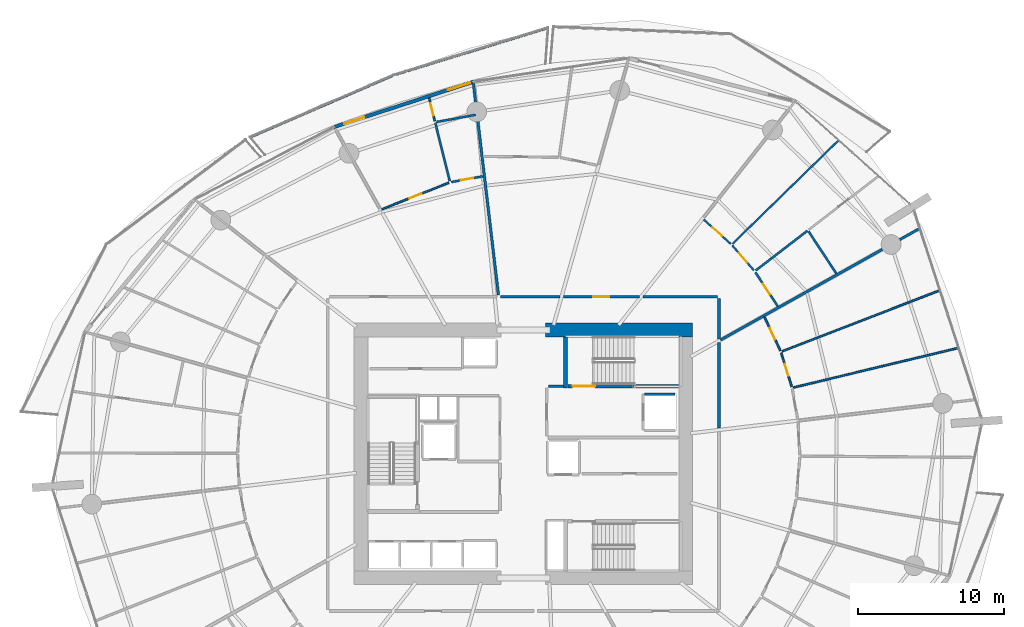
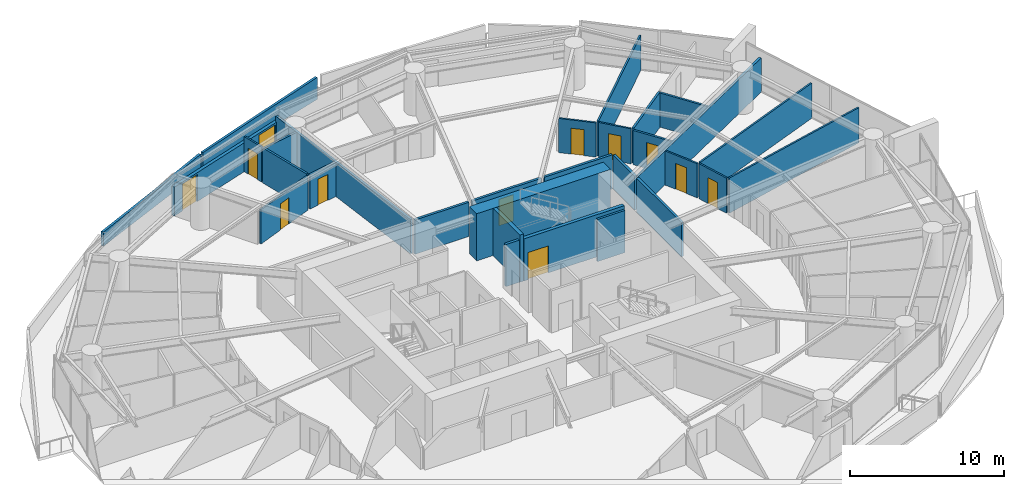
# One storey, part 23 of 31: 30 walls, 11 doors, 1 window, 12 openings.
"""IFC4 building model written with IfcOpenShell, lengths in metres."""

from ifc_helpers import new_model, si_unit, direction, frame, frame_2d, origin, place, context, subcontext, project, spatial, polyline, rectangle, outline, extrude, material, layer, layer_set, type_object, element, fill, save


model = new_model("IFC4")

# Units and contexts
model_context = context("Model", 3, precision=1e-05, world=origin(), true_north=direction((0.0, 1.0)))
body_context = subcontext(model_context, "Body", "Model", "MODEL_VIEW")
ifc_project = project(units=[si_unit("LENGTHUNIT", "METRE"), si_unit("AREAUNIT", "SQUARE_METRE"), si_unit("VOLUMEUNIT", "CUBIC_METRE"), si_unit("PLANEANGLEUNIT", "RADIAN"), si_unit("MASSUNIT", "GRAM", prefix="KILO")], contexts=[model_context])

# Site, building, storey
site_placement = place(None, origin())
site = spatial("IfcSite", under=ifc_project, at=site_placement, CompositionType="ELEMENT")
building_placement = place(site_placement, origin())
building = spatial("IfcBuilding", under=site, at=building_placement, Name="Kazma Halo Residences", CompositionType="ELEMENT")
storey_placement = place(building_placement, frame((0.0, 0.0, 67.64990234375)))
storey = spatial("IfcBuildingStorey", under=building, at=storey_placement, Name="L16", CompositionType="ELEMENT", Elevation=67.64990234375)

# Walls
ifc_material_1 = material(Name="White Concrete C50/60 Balustrade", Category="concrete")
ifc_layer_1 = layer(ifc_material_1, 0.179931640625)
ifc_layer_set_1 = layer_set([ifc_layer_1], Name="White Concrete C50/60 Balustrade")
wall_type_1 = type_object("IfcWallType", Name="WL-BAL-WAVE-180", PredefinedType="PARAPET", material=ifc_layer_set_1)
wall_1_placement = place(storey_placement, frame((50.1142578125, 71.139892578125, 0.0), z_axis=(0.0, 0.0, 1.0), x_axis=(-0.956262130287, -0.292511090695, 0.0)))
element("IfcWall", 1, at=wall_1_placement, inside=storey, type_object=wall_type_1, Name="L16 white wave balustrade wall NNW.1", PredefinedType="PARAPET", context=body_context, shape_type="SweptSolid", body=[
    extrude(outline(polyline([(0.0, 0.0), (10.89697265625, 0.0), (10.897216796875, 1.34814453125), (5.448486328125, 1.56201171875), (0.0, 1.7470703125), (0.0, 0.0)])), frame((0.0, 0.08984375, 0.0), z_axis=(0.0, -1.0, 0.0), x_axis=(1.0, 0.0, 0.0)), (0.0, 0.0, 1.0), 0.179931640625),
])
wall_2_placement = place(storey_placement, frame((39.468994140625, 67.86962890625, 0.0), z_axis=(0.0, 0.0, 1.0), x_axis=(-0.91788240727, -0.396852474384, 0.0)))
element("IfcWall", 2, at=wall_2_placement, inside=storey, type_object=wall_type_1, Name="L16 white wave balustrade wall NNW.2", PredefinedType="PARAPET", context=body_context, shape_type="SweptSolid", body=[
    extrude(outline(polyline([(0.0, 0.0), (10.61083984375, 0.0), (10.61083984375, 1.1201171875), (5.305419921875, 1.18212890625), (0.0, 1.34814453125), (0.0, 0.0)])), frame((0.0, 0.08984375, 0.0), z_axis=(0.0, -1.0, 0.0), x_axis=(1.0, 0.0, 0.0)), (0.0, 0.0, 1.0), 0.179931640625),
])
ifc_material_2 = material(Name="Concrete C80/95", Category="concrete")
ifc_layer_2 = layer(ifc_material_2, 0.949951171875)
ifc_layer_set_2 = layer_set([ifc_layer_2], Name="Concrete C80/95")
wall_type_2 = type_object("IfcWallType", Name="WL-CORE-950", PredefinedType="SHEAR", material=ifc_layer_set_2)
wall_3_placement = place(storey_placement, frame((49.949951171875, 50.47509765625, 0.0), z_axis=(0.0, 0.0, 1.0), x_axis=(1.0, 0.0, 0.0)))
element("IfcWall", 3, at=wall_3_placement, inside=storey, type_object=wall_type_2, Name="L16 central core shear wall NE", PredefinedType="SHEAR", context=body_context, shape_type="SweptSolid", body=[
    extrude(rectangle(XDim=10.050048828125, YDim=0.949951171875, at=frame_2d((5.02490234375, 0.0))), origin(), (0.0, 0.0, 1.0), 3.75),
])
ifc_material_3 = material(Name="Concrete C60/75", Category="concrete")
ifc_layer_3 = layer(ifc_material_3, 0.280029296875)
ifc_layer_set_3 = layer_set([ifc_layer_3], Name="Concrete C60/75")
wall_type_3 = type_object("IfcWallType", Name="WL-CORE-ST-280", PredefinedType="SHEAR", material=ifc_layer_set_3)
wall_4_placement = place(storey_placement, frame((51.31005859375, 46.5, 0.0), z_axis=(0.0, 0.0, 1.0), x_axis=(0.0, 1.0, 0.0)))
element("IfcWall", 4, at=wall_4_placement, inside=storey, type_object=wall_type_3, Name="L16 stairwell bearing wall ST02-W", PredefinedType="SHEAR", context=body_context, shape_type="SweptSolid", body=[
    extrude(rectangle(XDim=3.5, YDim=0.280029296875, at=frame_2d((1.75, 0.0))), origin(), (0.0, 0.0, 1.0), 3.75),
])
ifc_material_4 = material(Name="Acoustic Twin-Stud Gypsum")
ifc_layer_4 = layer(ifc_material_4, 0.179931640625)
ifc_layer_set_4 = layer_set([ifc_layer_4], Name="Acoustic Twin-Stud Gypsum")
wall_type_4 = type_object("IfcWallType", Name="WL-DEM-180", PredefinedType="PARTITIONING", material=ifc_layer_set_4)
wall_5_placement = place(storey_placement, frame((61.89599609375, 49.781982421875, 0.0), z_axis=(0.0, 0.0, 1.0), x_axis=(0.872493215695, 0.488626225828, 0.0)))
element("IfcWall", 5, at=wall_5_placement, inside=storey, type_object=wall_type_4, Name="L16 apartment demising radial wall 00", PredefinedType="PARTITIONING", context=body_context, shape_type="SweptSolid", body=[
    extrude(rectangle(XDim=15.612060546875, YDim=0.179931640625, at=frame_2d((7.80615234375, 0.0))), origin(), (0.0, 0.0, 1.0), 2.717041015625),
])
wall_6_placement = place(storey_placement, frame((46.71484375, 52.859130859375, 0.0), z_axis=(0.0, 0.0, 1.0), x_axis=(-0.117534950089, 0.993068746617, 0.0)))
element("IfcWall", 6, at=wall_6_placement, inside=storey, type_object=wall_type_4, Name="L16 apartment demising radial wall 03", PredefinedType="PARTITIONING", context=body_context, shape_type="SweptSolid", body=[
    extrude(rectangle(XDim=14.66064453125, YDim=0.179931640625, at=frame_2d((7.330322265625, 0.0))), origin(), (0.0, 0.0, 1.0), 2.717041015625),
])
wall_7_placement = place(storey_placement, frame((61.800048828125, 43.75341796875, 0.0), z_axis=(0.0, 0.0, 1.0), x_axis=(0.0, 1.0, 0.0)))
element("IfcWall", 7, at=wall_7_placement, inside=storey, type_object=wall_type_4, Name="L16 Apartment 3 inner wall 15", PredefinedType="PARTITIONING", context=body_context, shape_type="SweptSolid", body=[
    extrude(rectangle(XDim=5.85498046875, YDim=0.179931640625, at=frame_2d((2.927490234375, 0.0))), origin(), (0.0, 0.0, 1.0), 2.717041015625),
])

# Wall, opening, door
wall_8_placement = place(storey_placement, frame((56.3544921875, 52.75, 0.0), z_axis=(0.0, 0.0, 1.0), x_axis=(-1.0, 0.0, 0.0)))
wall_8 = element("IfcWall", 8, at=wall_8_placement, inside=storey, type_object=wall_type_4, Name="L16 Apartment 4 entrance corridor wall", PredefinedType="PARTITIONING", context=body_context, shape_type="SweptSolid", body=[
    extrude(rectangle(XDim=5.20263671875, YDim=0.179931640625, at=frame_2d((2.601318359375, 0.0))), origin(), (0.0, 0.0, 1.0), 2.717041015625),
])
opening_1_placement = place(wall_8_placement, frame((2.051513671875, 0.0, 0.0)))
opening_1 = element("IfcOpeningElement", 9, at=opening_1_placement, cuts=wall_8, Name="Opening DA-1100", PredefinedType="OPENING", context=body_context, shape_type="SweptSolid", body=[
    extrude(rectangle(XDim=1.10009765625, YDim=2.10009765625, at=frame_2d((0.550048828125, 1.050048828125))), frame((0.0, 0.099853515625, 0.0), z_axis=(0.0, -1.0, 0.0), x_axis=(1.0, 0.0, 0.0)), (0.0, 0.0, 1.0), 0.199951171875),
])
ifc_material_5 = material(Name="Acoustic Walnut Fire Leaf")
door_type_1 = type_object("IfcDoorType", Name="DR-FD60-1100", OperationType="NOTDEFINED", PredefinedType="DOOR", material=ifc_material_5)
door_1_placement = place(opening_1_placement, origin())
door_1 = element("IfcDoor", 10, at=door_1_placement, inside=storey, type_object=door_type_1, Name="L16 Apartment 4 entrance fire door", OperationType="SINGLE_SWING_LEFT", OverallHeight=2.10009765625, OverallWidth=1.10009765625, PredefinedType="DOOR", context=body_context, shape_type="SweptSolid", body=[
    extrude(rectangle(XDim=1.10009765625, YDim=2.10009765625, at=frame_2d((0.550048828125, 1.050048828125))), frame((0.0, 0.02490234375, 0.0), z_axis=(0.0, -1.0, 0.0), x_axis=(1.0, 0.0, 0.0)), (0.0, 0.0, 1.0), 0.050048828125),
])
fill(opening_1, door_1)

# Walls
wall_9_placement = place(storey_placement, frame((61.800048828125, 49.848388671875, 0.0), z_axis=(0.0, 0.0, 1.0), x_axis=(0.0, 1.0, 0.0)))
element("IfcWall", 11, at=wall_9_placement, inside=storey, type_object=wall_type_4, Name="L16 Apartment 4 inner wall 0", PredefinedType="PARTITIONING", context=body_context, shape_type="SweptSolid", body=[
    extrude(rectangle(XDim=2.781494140625, YDim=0.179931640625, at=frame_2d((1.390625, 0.0))), origin(), (0.0, 0.0, 1.0), 2.717041015625),
])
wall_10_placement = place(storey_placement, frame((61.679931640625, 52.75, 0.0), z_axis=(0.0, 0.0, 1.0), x_axis=(-1.0, 0.0, 0.0)))
element("IfcWall", 12, at=wall_10_placement, inside=storey, type_object=wall_type_4, Name="L16 Apartment 4 inner wall 0", PredefinedType="PARTITIONING", context=body_context, shape_type="SweptSolid", body=[
    extrude(rectangle(XDim=5.08544921875, YDim=0.179931640625, at=frame_2d((2.542724609375, 0.0))), origin(), (0.0, 0.0, 1.0), 2.717041015625),
])
wall_11_placement = place(storey_placement, frame((50.911865234375, 52.75, 0.0), z_axis=(0.0, 0.0, 1.0), x_axis=(-1.0, 0.0, 0.0)))
element("IfcWall", 13, at=wall_11_placement, inside=storey, type_object=wall_type_4, Name="L16 Apartment 4 inner wall 2", PredefinedType="PARTITIONING", context=body_context, shape_type="SweptSolid", body=[
    extrude(rectangle(XDim=4.064208984375, YDim=0.179931640625, at=frame_2d((2.0322265625, 0.0))), origin(), (0.0, 0.0, 1.0), 2.717041015625),
])

# Wall, openings, door, window
ifc_material_6 = material(Name="Insulated Pale-Metal Composite Wall")
ifc_layer_5 = layer(ifc_material_6, 0.239990234375)
ifc_layer_set_5 = layer_set([ifc_layer_5], Name="Insulated Pale-Metal Composite Wall")
wall_type_5 = type_object("IfcWallType", Name="WL-EXT-HOST-240", PredefinedType="SOLIDWALL", material=ifc_layer_set_5)
wall_12_placement = place(storey_placement, frame((45.0361328125, 67.45849609375, 0.0), z_axis=(0.0, 0.0, 1.0), x_axis=(-0.951054679225, -0.309022648238, 0.0)))
wall_12 = element("IfcWall", 14, at=wall_12_placement, inside=storey, type_object=wall_type_5, Name="L16 exterior terrace-access wall B04", PredefinedType="SOLIDWALL", context=body_context, shape_type="SweptSolid", body=[
    extrude(rectangle(XDim=10.0966796875, YDim=0.239990234375, at=frame_2d((5.04833984375, 0.0))), origin(), (0.0, 0.0, 1.0), 2.300048828125),
])
opening_2_placement = place(wall_12_placement, frame((7.876708984375, 0.0, 0.0)))
opening_2 = element("IfcOpeningElement", 15, at=opening_2_placement, cuts=wall_12, Name="Opening DTR-1600", PredefinedType="OPENING", context=body_context, shape_type="SweptSolid", body=[
    extrude(rectangle(XDim=1.449951171875, YDim=2.14990234375, at=frame_2d((0.72509765625, 1.074951171875))), frame((0.0, 0.1298828125, 0.0), z_axis=(0.0, -1.0, 0.0), x_axis=(1.0, 0.0, 0.0)), (0.0, 0.0, 1.0), 0.260009765625),
])
opening_3_placement = place(wall_12_placement, frame((0.280029296875, 0.0, 0.64990234375)))
opening_3 = element("IfcOpeningElement", 16, at=opening_3_placement, cuts=wall_12, Name="Opening W-1800", PredefinedType="OPENING", context=body_context, shape_type="SweptSolid", body=[
    extrude(rectangle(XDim=1.60009765625, YDim=1.5, at=frame_2d((0.800048828125, 0.75))), frame((0.0, 0.1298828125, 0.0), z_axis=(0.0, -1.0, 0.0), x_axis=(1.0, 0.0, 0.0)), (0.0, 0.0, 1.0), 0.260009765625),
])
ifc_material_7 = material(Name="Aluminium AW-6063 T6 Double-Glazed Terrace Door", Category="aluminium")
door_type_2 = type_object("IfcDoorType", Name="DR-EXT-TERR-1600", OperationType="NOTDEFINED", PredefinedType="DOOR", material=ifc_material_7)
door_2_placement = place(opening_2_placement, origin())
door_2 = element("IfcDoor", 17, at=door_2_placement, inside=storey, type_object=door_type_2, Name="L16 B04 balcony terrace door", OperationType="DOUBLE_DOOR_SLIDING", OverallHeight=2.14990234375, OverallWidth=1.449951171875, PredefinedType="DOOR", context=body_context, shape_type="SweptSolid", body=[
    extrude(rectangle(XDim=1.449951171875, YDim=2.14990234375, at=frame_2d((0.72509765625, 1.074951171875))), frame((0.0, 0.02490234375, 0.0), z_axis=(0.0, -1.0, 0.0), x_axis=(1.0, 0.0, 0.0)), (0.0, 0.0, 1.0), 0.050048828125),
])
fill(opening_2, door_2)
ifc_material_8 = material(Name="Clear Triple-Silver Low-E Glass in Aluminium AW-6063 T6 Frame", Category="aluminium")
window_type = type_object("IfcWindowType", Name="WIN-RES-1800", PartitioningType="DOUBLE_PANEL_VERTICAL", PredefinedType="WINDOW", material=ifc_material_8)
window_placement = place(opening_3_placement, origin())
window = element("IfcWindow", 18, at=window_placement, inside=storey, type_object=window_type, Name="L16 B04 apartment window", OverallHeight=1.5, OverallWidth=1.60009765625, PartitioningType="SINGLE_PANEL", PredefinedType="WINDOW", context=body_context, shape_type="SweptSolid", body=[
    extrude(rectangle(XDim=1.60009765625, YDim=1.5, at=frame_2d((0.800048828125, 0.75))), frame((0.0, 0.030029296875, 0.0), z_axis=(0.0, -1.0, 0.0), x_axis=(1.0, 0.0, 0.0)), (0.0, 0.0, 1.0), 0.06005859375),
])
fill(opening_3, window)

# Walls
ifc_material_9 = material(Name="Fire-Rated Blockwork Masonry", Category="masonry")
ifc_layer_6 = layer(ifc_material_9, 0.199951171875)
ifc_layer_set_6 = layer_set([ifc_layer_6], Name="Fire-Rated Blockwork Masonry")
wall_type_6 = type_object("IfcWallType", Name="WL-FLB-200", PredefinedType="PARTITIONING", material=ifc_layer_set_6)
wall_13_placement = place(storey_placement, frame((56.719970703125, 46.080078125, 0.0), z_axis=(0.0, 0.0, 1.0), x_axis=(1.0, 0.0, 0.0)))
element("IfcWall", 19, at=wall_13_placement, inside=storey, type_object=wall_type_6, Name="L16 lift shaft FL-02 side wall N", PredefinedType="PARTITIONING", context=body_context, shape_type="SweptSolid", body=[
    extrude(rectangle(XDim=2.06005859375, YDim=0.159912109375, at=frame_2d((1.030029296875, 0.0))), origin(), (0.0, 0.0, 1.0), 3.35009765625),
])
wall_14_placement = place(storey_placement, frame((50.139892578125, 46.6201171875, 0.0), z_axis=(0.0, 0.0, 1.0), x_axis=(1.0, 0.0, 0.0)))
element("IfcWall", 20, at=wall_14_placement, inside=storey, type_object=wall_type_6, Name="L16 east firefighting lobby north closure wall", PredefinedType="PARTITIONING", context=body_context, shape_type="SweptSolid", body=[
    extrude(rectangle(XDim=1.02001953125, YDim=0.199951171875, at=frame_2d((0.510009765625, 0.0))), origin(), (0.0, 0.0, 1.0), 3.35009765625),
])

# Wall, opening, door
ifc_material_10 = material(Name="Gypsum Plasterboard Partition")
ifc_layer_7 = layer(ifc_material_10, 0.125)
ifc_layer_set_7 = layer_set([ifc_layer_7], Name="Gypsum Plasterboard Partition")
wall_type_7 = type_object("IfcWallType", Name="WL-PART-125", PredefinedType="PARTITIONING", material=ifc_layer_set_7)
wall_15_placement = place(storey_placement, frame((42.36376953125, 64.7666015625, 0.0), z_axis=(0.0, 0.0, 1.0), x_axis=(-0.240399183991, 0.970674112324, 0.0)))
wall_15 = element("IfcWall", 21, at=wall_15_placement, inside=storey, type_object=wall_type_7, Name="L16 Apartment 1 Household Store Room partition wall", PredefinedType="PARTITIONING", context=body_context, shape_type="SweptSolid", body=[
    extrude(rectangle(XDim=1.61376953125, YDim=0.125, at=frame_2d((0.806884765625, 0.0))), origin(), (0.0, 0.0, 1.0), 2.7900390625),
])
opening_4_placement = place(wall_15_placement, frame((0.3818359375, 0.0, 0.0)))
opening_4 = element("IfcOpeningElement", 22, at=opening_4_placement, cuts=wall_15, Name="Opening DB-900", PredefinedType="OPENING", context=body_context, shape_type="SweptSolid", body=[
    extrude(rectangle(XDim=0.85009765625, YDim=2.06005859375, at=frame_2d((0.425048828125, 1.030029296875))), frame((0.0, 0.072509765625, 0.0), z_axis=(0.0, -1.0, 0.0), x_axis=(1.0, 0.0, 0.0)), (0.0, 0.0, 1.0), 0.14501953125),
])
ifc_material_11 = material(Name="Moisture-Sealed Timber Leaf", Category="wood")
door_type_3 = type_object("IfcDoorType", Name="DR-BTH-900", OperationType="NOTDEFINED", PredefinedType="DOOR", material=ifc_material_11)
door_3_placement = place(opening_4_placement, origin())
door_3 = element("IfcDoor", 23, at=door_3_placement, inside=storey, type_object=door_type_3, Name="L16 Apartment 1 Household Store Room door", OperationType="SINGLE_SWING_LEFT", OverallHeight=2.06005859375, OverallWidth=0.85009765625, PredefinedType="DOOR", context=body_context, shape_type="SweptSolid", body=[
    extrude(rectangle(XDim=0.85009765625, YDim=2.06005859375, at=frame_2d((0.425048828125, 1.030029296875))), frame((0.0, 0.02490234375, 0.0), z_axis=(0.0, -1.0, 0.0), x_axis=(1.0, 0.0, 0.0)), (0.0, 0.0, 1.0), 0.050048828125),
])
fill(opening_4, door_3)

wall_16_placement = place(storey_placement, frame((43.319091796875, 60.536376953125, 0.0), z_axis=(0.0, 0.0, 1.0), x_axis=(-0.929910978534, -0.367784681576, 0.0)))
wall_16 = element("IfcWall", 24, at=wall_16_placement, inside=storey, type_object=wall_type_7, Name="L16 Apartment 1 Gourmet Kitchen hall wall", PredefinedType="PARTITIONING", context=body_context, shape_type="SweptSolid", body=[
    extrude(rectangle(XDim=4.918212890625, YDim=0.125, at=frame_2d((2.458984375, 0.0))), origin(), (0.0, 0.0, 1.0), 2.717041015625),
])
opening_5_placement = place(wall_16_placement, frame((2.009033203125, 0.0, 0.0)))
opening_5 = element("IfcOpeningElement", 25, at=opening_5_placement, cuts=wall_16, Name="Opening DI-950", PredefinedType="OPENING", context=body_context, shape_type="SweptSolid", body=[
    extrude(rectangle(XDim=0.89990234375, YDim=2.080078125, at=frame_2d((0.449951171875, 1.0400390625))), frame((0.0, 0.072509765625, 0.0), z_axis=(0.0, -1.0, 0.0), x_axis=(1.0, 0.0, 0.0)), (0.0, 0.0, 1.0), 0.14501953125),
])
ifc_material_12 = material(Name="Timber Veneer Flush Leaf", Category="wood")
door_type_4 = type_object("IfcDoorType", Name="DR-INT-950", OperationType="NOTDEFINED", PredefinedType="DOOR", material=ifc_material_12)
door_4_placement = place(opening_5_placement, origin())
door_4 = element("IfcDoor", 26, at=door_4_placement, inside=storey, type_object=door_type_4, Name="L16 Apartment 1 Gourmet Kitchen door", OperationType="SINGLE_SWING_RIGHT", OverallHeight=2.080078125, OverallWidth=0.89990234375, PredefinedType="DOOR", context=body_context, shape_type="SweptSolid", body=[
    extrude(rectangle(XDim=0.89990234375, YDim=2.080078125, at=frame_2d((0.449951171875, 1.0400390625))), frame((0.0, 0.02490234375, 0.0), z_axis=(0.0, -1.0, 0.0), x_axis=(1.0, 0.0, 0.0)), (0.0, 0.0, 1.0), 0.050048828125),
])
fill(opening_5, door_4)

# Walls
wall_17_placement = place(storey_placement, frame((66.88623046875, 46.5341796875, 0.0), z_axis=(0.0, 0.0, 1.0), x_axis=(0.972368393799, 0.233451722507, 0.0)))
element("IfcWall", 27, at=wall_17_placement, inside=storey, type_object=wall_type_7, Name="L16 Apartment 3 bay wall 1 15", PredefinedType="PARTITIONING", context=body_context, shape_type="SweptSolid", body=[
    extrude(rectangle(XDim=11.60498046875, YDim=0.125, at=frame_2d((5.802490234375, 0.0))), origin(), (0.0, 0.0, 1.0), 2.7900390625),
])
wall_18_placement = place(storey_placement, frame((66.114501953125, 49.008056640625, 0.0), z_axis=(0.0, 0.0, 1.0), x_axis=(0.932641955578, 0.360803246514, 0.0)))
element("IfcWall", 28, at=wall_18_placement, inside=storey, type_object=wall_type_7, Name="L16 Apartment 3 bay wall 2 15", PredefinedType="PARTITIONING", context=body_context, shape_type="SweptSolid", body=[
    extrude(rectangle(XDim=11.555908203125, YDim=0.125, at=frame_2d((5.77783203125, 0.0))), origin(), (0.0, 0.0, 1.0), 2.7900390625),
])

# Wall, opening, door
wall_19_placement = place(storey_placement, frame((66.77490234375, 46.589599609375, 0.0), z_axis=(0.0, 0.0, 1.0), x_axis=(-0.297792299564, 0.954630685826, 0.0)))
wall_19 = element("IfcWall", 29, at=wall_19_placement, inside=storey, type_object=wall_type_7, Name="L16 Apartment 3 North Dressing Wardrobe hall wall", PredefinedType="PARTITIONING", context=body_context, shape_type="SweptSolid", body=[
    extrude(rectangle(XDim=2.41943359375, YDim=0.125, at=frame_2d((1.209716796875, 0.0))), origin(), (0.0, 0.0, 1.0), 2.7900390625),
])
opening_6_placement = place(wall_19_placement, frame((0.78466796875, 0.0, 0.0)))
opening_6 = element("IfcOpeningElement", 30, at=opening_6_placement, cuts=wall_19, Name="Opening DB-900", PredefinedType="OPENING", context=body_context, shape_type="SweptSolid", body=[
    extrude(rectangle(XDim=0.85009765625, YDim=2.06005859375, at=frame_2d((0.425048828125, 1.030029296875))), frame((0.0, 0.072509765625, 0.0), z_axis=(0.0, -1.0, 0.0), x_axis=(1.0, 0.0, 0.0)), (0.0, 0.0, 1.0), 0.14501953125),
])
door_5_placement = place(opening_6_placement, origin())
door_5 = element("IfcDoor", 31, at=door_5_placement, inside=storey, type_object=door_type_3, Name="L16 Apartment 3 North Dressing Wardrobe door", OperationType="SINGLE_SWING_RIGHT", OverallHeight=2.06005859375, OverallWidth=0.85009765625, PredefinedType="DOOR", context=body_context, shape_type="SweptSolid", body=[
    extrude(rectangle(XDim=0.85009765625, YDim=2.06005859375, at=frame_2d((0.425048828125, 1.030029296875))), frame((0.0, 0.02490234375, 0.0), z_axis=(0.0, -1.0, 0.0), x_axis=(1.0, 0.0, 0.0)), (0.0, 0.0, 1.0), 0.050048828125),
])
fill(opening_6, door_5)

wall_20_placement = place(storey_placement, frame((65.99658203125, 49.048095703125, 0.0), z_axis=(0.0, 0.0, 1.0), x_axis=(-0.425774166793, 0.904829463983, 0.0)))
wall_20 = element("IfcWall", 32, at=wall_20_placement, inside=storey, type_object=wall_type_7, Name="L16 Apartment 3 South Master Bedroom hall wall", PredefinedType="PARTITIONING", context=body_context, shape_type="SweptSolid", body=[
    extrude(rectangle(XDim=2.570556640625, YDim=0.125, at=frame_2d((1.28515625, 0.0))), origin(), (0.0, 0.0, 1.0), 2.717041015625),
])
opening_7_placement = place(wall_20_placement, frame((0.8603515625, 0.0, 0.0)))
opening_7 = element("IfcOpeningElement", 33, at=opening_7_placement, cuts=wall_20, Name="Opening DB-900", PredefinedType="OPENING", context=body_context, shape_type="SweptSolid", body=[
    extrude(rectangle(XDim=0.85009765625, YDim=2.06005859375, at=frame_2d((0.425048828125, 1.030029296875))), frame((0.0, 0.072509765625, 0.0), z_axis=(0.0, -1.0, 0.0), x_axis=(1.0, 0.0, 0.0)), (0.0, 0.0, 1.0), 0.14501953125),
])
door_6_placement = place(opening_7_placement, origin())
door_6 = element("IfcDoor", 34, at=door_6_placement, inside=storey, type_object=door_type_3, Name="L16 Apartment 3 South Master Bedroom door", OperationType="SINGLE_SWING_LEFT", OverallHeight=2.06005859375, OverallWidth=0.85009765625, PredefinedType="DOOR", context=body_context, shape_type="SweptSolid", body=[
    extrude(rectangle(XDim=0.85009765625, YDim=2.06005859375, at=frame_2d((0.425048828125, 1.030029296875))), frame((0.0, 0.02490234375, 0.0), z_axis=(0.0, -1.0, 0.0), x_axis=(1.0, 0.0, 0.0)), (0.0, 0.0, 1.0), 0.050048828125),
])
fill(opening_7, door_6)

# Wall
wall_21_placement = place(storey_placement, frame((62.724853515625, 56.36767578125, 0.0), z_axis=(0.0, 0.0, 1.0), x_axis=(0.715749552764, 0.698357056038, 0.0)))
element("IfcWall", 35, at=wall_21_placement, inside=storey, type_object=wall_type_7, Name="L16 Apartment 4 suite divider 0", PredefinedType="PARTITIONING", context=body_context, shape_type="SweptSolid", body=[
    extrude(rectangle(XDim=10.106689453125, YDim=0.125, at=frame_2d((5.05322265625, 0.0))), origin(), (0.0, 0.0, 1.0), 2.7900390625),
])

# Wall, opening, door
wall_22_placement = place(storey_placement, frame((64.1796875, 54.552001953125, 0.0), z_axis=(0.0, 0.0, 1.0), x_axis=(-0.654947139149, 0.75567469517, 0.0)))
wall_22 = element("IfcWall", 36, at=wall_22_placement, inside=storey, type_object=wall_type_7, Name="L16 Apartment 4 Gourmet Kitchen hall wall", PredefinedType="PARTITIONING", context=body_context, shape_type="SweptSolid", body=[
    extrude(rectangle(XDim=2.239501953125, YDim=0.125, at=frame_2d((1.11962890625, 0.0))), origin(), (0.0, 0.0, 1.0), 2.7900390625),
])
opening_8_placement = place(wall_22_placement, frame((0.694580078125, 0.0, 0.0)))
opening_8 = element("IfcOpeningElement", 37, at=opening_8_placement, cuts=wall_22, Name="Opening DB-900", PredefinedType="OPENING", context=body_context, shape_type="SweptSolid", body=[
    extrude(rectangle(XDim=0.85009765625, YDim=2.06005859375, at=frame_2d((0.425048828125, 1.030029296875))), frame((0.0, 0.072509765625, 0.0), z_axis=(0.0, -1.0, 0.0), x_axis=(1.0, 0.0, 0.0)), (0.0, 0.0, 1.0), 0.14501953125),
])
door_7_placement = place(opening_8_placement, origin())
door_7 = element("IfcDoor", 38, at=door_7_placement, inside=storey, type_object=door_type_3, Name="L16 Apartment 4 Gourmet Kitchen door", OperationType="SINGLE_SWING_LEFT", OverallHeight=2.06005859375, OverallWidth=0.85009765625, PredefinedType="DOOR", context=body_context, shape_type="SweptSolid", body=[
    extrude(rectangle(XDim=0.85009765625, YDim=2.06005859375, at=frame_2d((0.425048828125, 1.030029296875))), frame((0.0, 0.02490234375, 0.0), z_axis=(0.0, -1.0, 0.0), x_axis=(1.0, 0.0, 0.0)), (0.0, 0.0, 1.0), 0.050048828125),
])
fill(opening_8, door_7)

wall_23_placement = place(storey_placement, frame((62.60107421875, 56.358154296875, 0.0), z_axis=(0.0, 0.0, 1.0), x_axis=(-0.743435913228, 0.66880717918, 0.0)))
wall_23 = element("IfcWall", 39, at=wall_23_placement, inside=storey, type_object=wall_type_7, Name="L16 Apartment 4 Primary Bedroom hall wall", PredefinedType="PARTITIONING", context=body_context, shape_type="SweptSolid", body=[
    extrude(rectangle(XDim=2.48291015625, YDim=0.125, at=frame_2d((1.241455078125, 0.0))), origin(), (0.0, 0.0, 1.0), 2.717041015625),
])
opening_9_placement = place(wall_23_placement, frame((0.81640625, 0.0, 0.0)))
opening_9 = element("IfcOpeningElement", 40, at=opening_9_placement, cuts=wall_23, Name="Opening DB-900", PredefinedType="OPENING", context=body_context, shape_type="SweptSolid", body=[
    extrude(rectangle(XDim=0.85009765625, YDim=2.06005859375, at=frame_2d((0.425048828125, 1.030029296875))), frame((0.0, 0.072509765625, 0.0), z_axis=(0.0, -1.0, 0.0), x_axis=(1.0, 0.0, 0.0)), (0.0, 0.0, 1.0), 0.14501953125),
])
door_8_placement = place(opening_9_placement, origin())
door_8 = element("IfcDoor", 41, at=door_8_placement, inside=storey, type_object=door_type_3, Name="L16 Apartment 4 Primary Bedroom door", OperationType="SINGLE_SWING_RIGHT", OverallHeight=2.06005859375, OverallWidth=0.85009765625, PredefinedType="DOOR", context=body_context, shape_type="SweptSolid", body=[
    extrude(rectangle(XDim=0.85009765625, YDim=2.06005859375, at=frame_2d((0.425048828125, 1.030029296875))), frame((0.0, 0.02490234375, 0.0), z_axis=(0.0, -1.0, 0.0), x_axis=(1.0, 0.0, 0.0)), (0.0, 0.0, 1.0), 0.050048828125),
])
fill(opening_9, door_8)

ifc_material_13 = material(Name="Concrete C50/60", Category="concrete")
ifc_layer_8 = layer(ifc_material_13, 0.25)
ifc_layer_set_8 = layer_set([ifc_layer_8], Name="Concrete C50/60")
wall_type_8 = type_object("IfcWallType", Name="WL-SHF-250", PredefinedType="SOLIDWALL", material=ifc_layer_set_8)
wall_24_placement = place(storey_placement, frame((51.47998046875, 46.6201171875, 0.0), z_axis=(0.0, 0.0, 1.0), x_axis=(1.0, 0.0, 0.0)))
wall_24 = element("IfcWall", 42, at=wall_24_placement, inside=storey, type_object=wall_type_8, Name="L16 exit stair ST-02 enclosure wall", PredefinedType="SOLIDWALL", context=body_context, shape_type="SweptSolid", body=[
    extrude(rectangle(XDim=7.5400390625, YDim=0.25, at=frame_2d((3.77001953125, 0.0))), origin(), (0.0, 0.0, 1.0), 3.35009765625),
])
opening_10_placement = place(wall_24_placement, frame((0.300048828125, 0.0, 0.0)))
opening_10 = element("IfcOpeningElement", 43, at=opening_10_placement, cuts=wall_24, Name="Opening D-ST2", PredefinedType="OPENING", context=body_context, shape_type="SweptSolid", body=[
    extrude(rectangle(XDim=1.550048828125, YDim=2.14990234375, at=frame_2d((0.77490234375, 1.074951171875))), frame((0.0, 0.135009765625, 0.0), z_axis=(0.0, -1.0, 0.0), x_axis=(1.0, 0.0, 0.0)), (0.0, 0.0, 1.0), 0.27001953125),
])
ifc_material_14 = material(Name="Fire-Rated Double Steel Leaf", Category="steel")
door_type_5 = type_object("IfcDoorType", Name="DR-FD90-1550", OperationType="NOTDEFINED", PredefinedType="DOOR", material=ifc_material_14)
door_9_placement = place(opening_10_placement, origin())
door_9 = element("IfcDoor", 44, at=door_9_placement, inside=storey, type_object=door_type_5, Name="L16 exit stair ST-02 fire door", OperationType="DOUBLE_DOOR_SINGLE_SWING", OverallHeight=2.14990234375, OverallWidth=1.550048828125, PredefinedType="DOOR", context=body_context, shape_type="SweptSolid", body=[
    extrude(rectangle(XDim=1.550048828125, YDim=2.14990234375, at=frame_2d((0.77490234375, 1.074951171875))), frame((0.0, 0.02490234375, 0.0), z_axis=(0.0, -1.0, 0.0), x_axis=(1.0, 0.0, 0.0)), (0.0, 0.0, 1.0), 0.050048828125),
])
fill(opening_10, door_9)

ifc_material_15 = material(Name="Moisture-Resistant Gypsum")
ifc_layer_9 = layer(ifc_material_15, 0.14990234375)
ifc_layer_set_9 = layer_set([ifc_layer_9], Name="Moisture-Resistant Gypsum")
wall_type_9 = type_object("IfcWallType", Name="WL-WET-150", PredefinedType="PARTITIONING", material=ifc_layer_set_9)
wall_25_placement = place(storey_placement, frame((45.653076171875, 60.9794921875, 0.0), z_axis=(0.0, 0.0, 1.0), x_axis=(-0.983791601568, -0.179315600783, 0.0)))
wall_25 = element("IfcWall", 45, at=wall_25_placement, inside=storey, type_object=wall_type_9, Name="L16 Apartment 1 Guest Bathroom hall wall", PredefinedType="PARTITIONING", context=body_context, shape_type="SweptSolid", body=[
    extrude(rectangle(XDim=2.197509765625, YDim=0.14990234375, at=frame_2d((1.0986328125, 0.0))), origin(), (0.0, 0.0, 1.0), 2.717041015625),
])
opening_11_placement = place(wall_25_placement, frame((0.673583984375, 0.0, 0.0)))
opening_11 = element("IfcOpeningElement", 46, at=opening_11_placement, cuts=wall_25, Name="Opening DB-900", PredefinedType="OPENING", context=body_context, shape_type="SweptSolid", body=[
    extrude(rectangle(XDim=0.85009765625, YDim=2.06005859375, at=frame_2d((0.425048828125, 1.030029296875))), frame((0.0, 0.0849609375, 0.0), z_axis=(0.0, -1.0, 0.0), x_axis=(1.0, 0.0, 0.0)), (0.0, 0.0, 1.0), 0.169921875),
])
door_10_placement = place(opening_11_placement, origin())
door_10 = element("IfcDoor", 47, at=door_10_placement, inside=storey, type_object=door_type_3, Name="L16 Apartment 1 Guest Bathroom door", OperationType="SINGLE_SWING_RIGHT", OverallHeight=2.06005859375, OverallWidth=0.85009765625, PredefinedType="DOOR", context=body_context, shape_type="SweptSolid", body=[
    extrude(rectangle(XDim=0.85009765625, YDim=2.06005859375, at=frame_2d((0.425048828125, 1.030029296875))), frame((0.0, 0.02490234375, 0.0), z_axis=(0.0, -1.0, 0.0), x_axis=(1.0, 0.0, 0.0)), (0.0, 0.0, 1.0), 0.050048828125),
])
fill(opening_11, door_10)

# Walls
wall_26_placement = place(storey_placement, frame((45.155517578125, 65.18408203125, 0.0), z_axis=(0.0, 0.0, 1.0), x_axis=(-0.983792433056, -0.179311038873, 0.0)))
element("IfcWall", 48, at=wall_26_placement, inside=storey, type_object=wall_type_9, Name="L16 Apartment 1 Guest Bathroom back wall", PredefinedType="PARTITIONING", context=body_context, shape_type="SweptSolid", body=[
    extrude(rectangle(XDim=2.725830078125, YDim=0.14990234375, at=frame_2d((1.36279296875, 0.0))), origin(), (0.0, 0.0, 1.0), 2.717041015625),
])
wall_27_placement = place(storey_placement, frame((43.381103515625, 60.65673828125, 0.0), z_axis=(0.0, 0.0, 1.0), x_axis=(-0.240281337946, 0.97070329073, 0.0)))
element("IfcWall", 49, at=wall_27_placement, inside=storey, type_object=wall_type_9, Name="L16 Apartment 1 Guest Bathroom side wall", PredefinedType="PARTITIONING", context=body_context, shape_type="SweptSolid", body=[
    extrude(rectangle(XDim=4.103759765625, YDim=0.14990234375, at=frame_2d((2.0517578125, 0.0))), origin(), (0.0, 0.0, 1.0), 2.7900390625),
])

# Wall, opening, door
wall_28_placement = place(storey_placement, frame((65.81640625, 52.091796875, 0.0), z_axis=(0.0, 0.0, 1.0), x_axis=(-0.550532146696, 0.834813964578, 0.0)))
wall_28 = element("IfcWall", 50, at=wall_28_placement, inside=storey, type_object=wall_type_9, Name="L16 Apartment 4 Guest Bathroom hall wall", PredefinedType="PARTITIONING", context=body_context, shape_type="SweptSolid", body=[
    extrude(rectangle(XDim=2.775634765625, YDim=0.14990234375, at=frame_2d((1.3876953125, 0.0))), origin(), (0.0, 0.0, 1.0), 2.717041015625),
])
opening_12_placement = place(wall_28_placement, frame((0.962890625, 0.0, 0.0)))
opening_12 = element("IfcOpeningElement", 51, at=opening_12_placement, cuts=wall_28, Name="Opening DB-900", PredefinedType="OPENING", context=body_context, shape_type="SweptSolid", body=[
    extrude(rectangle(XDim=0.85009765625, YDim=2.06005859375, at=frame_2d((0.425048828125, 1.030029296875))), frame((0.0, 0.0849609375, 0.0), z_axis=(0.0, -1.0, 0.0), x_axis=(1.0, 0.0, 0.0)), (0.0, 0.0, 1.0), 0.169921875),
])
door_11_placement = place(opening_12_placement, origin())
door_11 = element("IfcDoor", 52, at=door_11_placement, inside=storey, type_object=door_type_3, Name="L16 Apartment 4 Guest Bathroom door", OperationType="SINGLE_SWING_LEFT", OverallHeight=2.06005859375, OverallWidth=0.85009765625, PredefinedType="DOOR", context=body_context, shape_type="SweptSolid", body=[
    extrude(rectangle(XDim=0.85009765625, YDim=2.06005859375, at=frame_2d((0.425048828125, 1.030029296875))), frame((0.0, 0.02490234375, 0.0), z_axis=(0.0, -1.0, 0.0), x_axis=(1.0, 0.0, 0.0)), (0.0, 0.0, 1.0), 0.050048828125),
])
fill(opening_12, door_11)

# Walls
wall_29_placement = place(storey_placement, frame((69.821044921875, 54.334716796875, 0.0), z_axis=(0.0, 0.0, 1.0), x_axis=(-0.550516877558, 0.834824033868, 0.0)))
element("IfcWall", 53, at=wall_29_placement, inside=storey, type_object=wall_type_9, Name="L16 Apartment 4 Guest Bathroom back wall", PredefinedType="PARTITIONING", context=body_context, shape_type="SweptSolid", body=[
    extrude(rectangle(XDim=3.43994140625, YDim=0.14990234375, at=frame_2d((1.719970703125, 0.0))), origin(), (0.0, 0.0, 1.0), 2.717041015625),
])
wall_30_placement = place(storey_placement, frame((64.310302734375, 54.5390625, 0.0), z_axis=(0.0, 0.0, 1.0), x_axis=(0.792803030826, 0.609477935871, 0.0)))
element("IfcWall", 54, at=wall_30_placement, inside=storey, type_object=wall_type_9, Name="L16 Apartment 4 Guest Bathroom side wall", PredefinedType="PARTITIONING", context=body_context, shape_type="SweptSolid", body=[
    extrude(rectangle(XDim=4.4599609375, YDim=0.14990234375, at=frame_2d((2.22998046875, 0.0))), origin(), (0.0, 0.0, 1.0), 2.7900390625),
])

save(model, "model.ifc")
